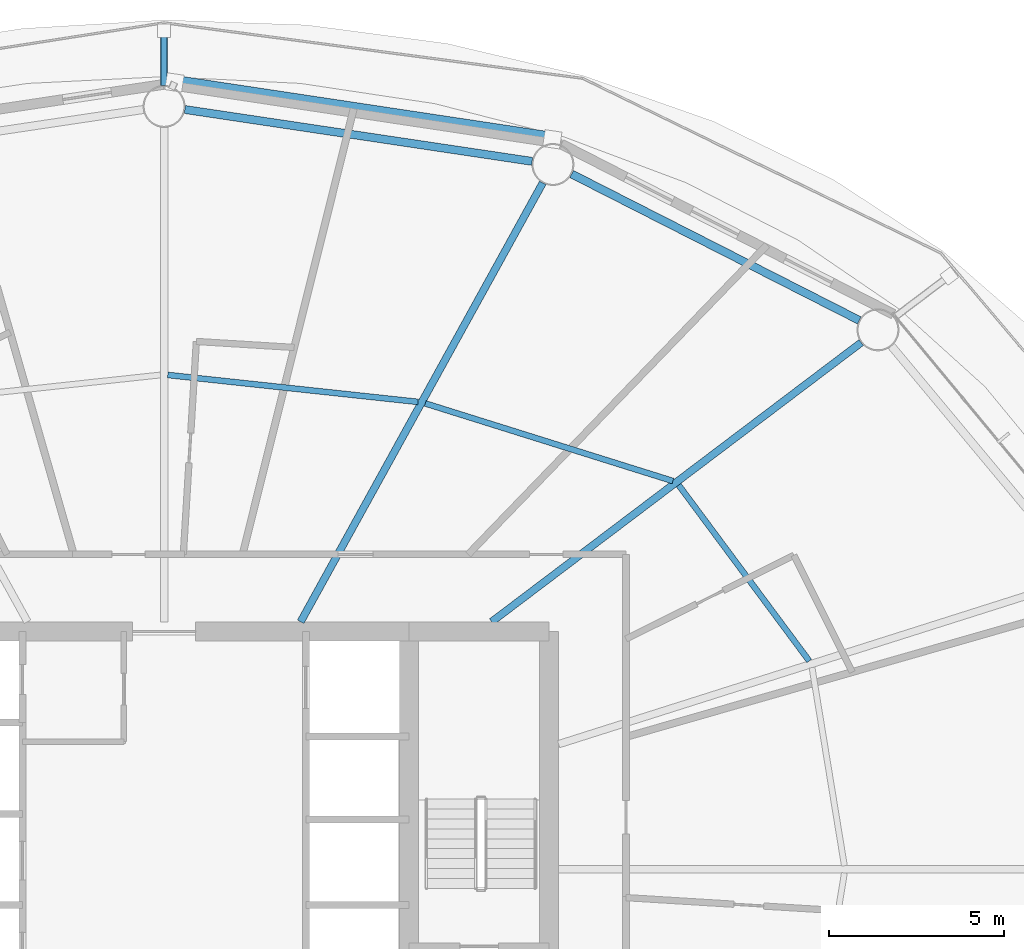
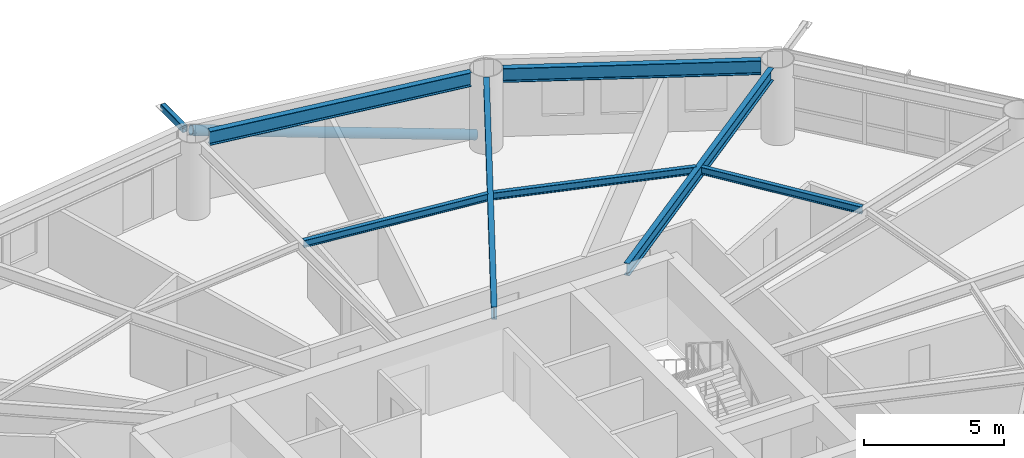
# One storey, part 11 of 24: 7 beams, 2 members.
"""IFC4 building model written with IfcOpenShell, lengths in metres."""

import ifcopenshell
import ifcopenshell.guid

model = None  # the IFC model being written
_history = None  # IfcOwnerHistory: only IFC2X3 demands one
_inside = {}  # id of a spatial element -> (the spatial element, [elements in it])
_under = {}  # id of a project, library or spatial element -> (it, [spatial elements below it])
_declared = {}  # id of a project -> (the project, [libraries it declares])
_typed = {}  # id of a type object -> (the type object, [elements of that type])
_made_of = {}  # id of a material, layer set ... -> (it, [elements and type objects made of it])


def new_model(schema):
    """Start an empty IFC model of exactly this schema.

    Asked for "IFC4X3", IfcOpenShell would pick the latest addendum, in which some entities
    have other attributes; the version numbers below select the first issue.
    IFC2X3 requires an IfcOwnerHistory on every rooted entity: one is made here for all.
    """
    global model, _history
    if schema == "IFC4X3":
        model = ifcopenshell.file(schema_version=(4, 3, 0, 0))
    else:
        model = ifcopenshell.file(schema=schema)
    _inside.clear()
    _under.clear()
    _declared.clear()
    _typed.clear()
    _made_of.clear()
    _history = None
    if model.schema == "IFC2X3":
        org = make("IfcOrganization", Name="unknown")
        user = make(
            "IfcPersonAndOrganization",
            ThePerson=make("IfcPerson", FamilyName="unknown"),
            TheOrganization=org,
        )
        app = make(
            "IfcApplication",
            ApplicationDeveloper=org,
            Version="unknown",
            ApplicationFullName="unknown",
            ApplicationIdentifier="unknown",
        )
        _history = make(
            "IfcOwnerHistory",
            OwningUser=user,
            OwningApplication=app,
            ChangeAction="ADDED",
            CreationDate=0,
        )
    return model


def make(cls, **values):
    """One entity of the class cls with the attributes given. An attribute that is None is left unset."""
    return model.create_entity(
        cls, **{name: value for name, value in values.items() if value is not None}
    )


def rooted(cls, **values):
    """An entity with a GlobalId (a new one), such as an element, a storey or a relation."""
    return make(cls, GlobalId=ifcopenshell.guid.new(), OwnerHistory=_history, **values)


def si_unit(unit_type, name, prefix=None):
    """IfcSIUnit, for example si_unit("LENGTHUNIT", "METRE", prefix="MILLI")."""
    return make("IfcSIUnit", UnitType=unit_type, Prefix=prefix, Name=name)


def assignment(units):
    """IfcUnitAssignment: the units of a project."""
    return None if units is None else make("IfcUnitAssignment", Units=units)


def point(xyz):
    """IfcCartesianPoint."""
    return None if xyz is None else make("IfcCartesianPoint", Coordinates=xyz)


def direction(xyz):
    """IfcDirection."""
    return None if xyz is None else make("IfcDirection", DirectionRatios=xyz)


def frame(location, z_axis=None, x_axis=None):
    """IfcAxis2Placement3D, a coordinate frame: its origin and axes. An axis left out is left unset."""
    return make(
        "IfcAxis2Placement3D",
        Location=point(location),
        Axis=direction(z_axis),
        RefDirection=direction(x_axis),
    )


def frame_2d(location, x_axis=None):
    """IfcAxis2Placement2D, a coordinate frame in the plane: its origin and x axis."""
    return make(
        "IfcAxis2Placement2D", Location=point(location), RefDirection=direction(x_axis)
    )


def origin():
    """The frame at (0, 0, 0) with its axes left unset."""
    return frame((0.0, 0.0, 0.0))


def origin_2d():
    """The frame at (0, 0) in the plane with its x axis left unset."""
    return frame_2d((0.0, 0.0))


def place(relative_to, where):
    """IfcLocalPlacement: puts the frame where relative to a parent placement (None: the world)."""
    return make(
        "IfcLocalPlacement", PlacementRelTo=relative_to, RelativePlacement=where
    )


def context(
    kind, dimensions, precision=None, world=None, true_north=None, identifier=None
):
    """IfcGeometricRepresentationContext, for example the 3D "Model" context."""
    return make(
        "IfcGeometricRepresentationContext",
        ContextIdentifier=identifier,
        ContextType=kind,
        CoordinateSpaceDimension=dimensions,
        Precision=precision,
        WorldCoordinateSystem=world,
        TrueNorth=true_north,
    )


def subcontext(parent, identifier, kind, view, scale=None):
    """IfcGeometricRepresentationSubContext, for example "Body" below "Model"."""
    return make(
        "IfcGeometricRepresentationSubContext",
        ContextIdentifier=identifier,
        ContextType=kind,
        ParentContext=parent,
        TargetScale=scale,
        TargetView=view,
    )


def project(units=None, contexts=None):
    """IfcProject with its units and contexts."""
    return rooted(
        "IfcProject",
        Name="project",
        RepresentationContexts=contexts,
        UnitsInContext=assignment(units),
    )


def spatial(cls, under=None, at=None, **own):
    """A site, building, storey or space (cls), placed at a placement, below another one or the project."""
    s = rooted(cls, ObjectPlacement=at, **own)
    if under is not None:
        _under.setdefault(under.id(), (under, []))[1].append(s)
    return s


def profile(cls, at=None, kind="AREA", **sizes):
    """A parametric profile (cls). Its sizes go by their IFC names, for example OverallWidth=200.0."""
    return make(cls, ProfileType=kind, Position=at, **sizes)


def hollow_rectangle(**sizes):
    """IfcRectangleHollowProfileDef."""
    return profile("IfcRectangleHollowProfileDef", **sizes)


def hollow_circle(**sizes):
    """IfcCircleHollowProfileDef."""
    return profile("IfcCircleHollowProfileDef", **sizes)


def i_section(**sizes):
    """IfcIShapeProfileDef."""
    return profile("IfcIShapeProfileDef", **sizes)


def extrude(swept, where, along, depth):
    """IfcExtrudedAreaSolid: the profile swept, set in the frame where, extruded along a direction by depth."""
    return make(
        "IfcExtrudedAreaSolid",
        SweptArea=swept,
        Position=where,
        ExtrudedDirection=direction(along),
        Depth=depth,
    )


def shape(context_of_items, identifier, shape_type, items):
    """IfcShapeRepresentation: the items that make up one representation, for example the "Body"."""
    return make(
        "IfcShapeRepresentation",
        ContextOfItems=context_of_items,
        RepresentationIdentifier=identifier,
        RepresentationType=shape_type,
        Items=items,
    )


def material(Name=None, Category=None):
    """IfcMaterial."""
    return make("IfcMaterial", Name=Name, Category=Category)


def material_profile(
    of_material, cross_section, Name=None, Category=None, Priority=None
):
    """IfcMaterialProfile: a cross section and its material."""
    return make(
        "IfcMaterialProfile",
        Name=Name,
        Material=of_material,
        Profile=cross_section,
        Priority=Priority,
        Category=Category,
    )


def profile_set(profiles, Name=None, composite=None):
    """IfcMaterialProfileSet."""
    return make(
        "IfcMaterialProfileSet",
        Name=Name,
        MaterialProfiles=profiles,
        CompositeProfile=composite,
    )


def made_of(thing, what):
    """Note that an element or type object is made of a material, layer set ...; save() writes the relation."""
    if what is not None:
        _made_of.setdefault(what.id(), (what, []))[1].append(thing)
    return thing


def type_object(cls, material=None, **own):
    """A type object (cls), such as IfcWallType, which elements share."""
    return made_of(rooted(cls, **own), material)


def element(
    cls,
    number,
    at=None,
    inside=None,
    cuts=None,
    type_object=None,
    material=None,
    context=None,
    identifier="Body",
    shape_type=None,
    held_by="IfcProductDefinitionShape",
    body=None,
    shapes=None,
    **own,
):
    """One element of the class cls, such as IfcWall. Its Tag is "e" and its number.

    at: its placement. inside: the storey or other place that contains it. cuts: it is an
    opening in that element (IfcRelVoidsElement). A single representation is given by context,
    identifier, shape_type and body (its items); several are given by shapes. held_by: the class
    of the entity that holds the representations. save() writes the other relations.
    """
    e = rooted(cls, Tag="e%d" % number, ObjectPlacement=at, **own)
    if body is not None:
        shapes = [shape(context, identifier, shape_type, body)]
    if shapes is not None:
        e.Representation = make(held_by, Representations=shapes)
    if inside is not None:
        _inside.setdefault(inside.id(), (inside, []))[1].append(e)
    if cuts is not None:
        rooted(
            "IfcRelVoidsElement", RelatingBuildingElement=cuts, RelatedOpeningElement=e
        )
    if type_object is not None:
        _typed.setdefault(type_object.id(), (type_object, []))[1].append(e)
    return made_of(e, material)


def aggregate(whole, parts):
    """IfcRelAggregates: a whole, such as a stair, and the parts it consists of."""
    return rooted("IfcRelAggregates", RelatingObject=whole, RelatedObjects=parts)


def save(model, path):
    """Write the relations noted so far, then the file.

    IfcRelAggregates (storeys below a building ...), IfcRelContainedInSpatialStructure (elements
    in a storey), IfcRelDefinesByType, IfcRelAssociatesMaterial and IfcRelDeclares: one each for
    every whole, place, type object, material and project.
    """
    for whole, parts in _under.values():
        aggregate(whole, parts)
    for where, things in _inside.values():
        rooted(
            "IfcRelContainedInSpatialStructure",
            RelatedElements=things,
            RelatingStructure=where,
        )
    for kind, things in _typed.values():
        rooted("IfcRelDefinesByType", RelatedObjects=things, RelatingType=kind)
    for what, things in _made_of.values():
        rooted("IfcRelAssociatesMaterial", RelatedObjects=things, RelatingMaterial=what)
    for by, libraries in _declared.values():
        rooted("IfcRelDeclares", RelatingContext=by, RelatedDefinitions=libraries)
    model.write(path)


model = new_model("IFC4")

# Units and contexts
model_context = context("Model", 3, precision=1e-05, world=origin(), true_north=direction((0.0, 1.0)))
body_context = subcontext(model_context, "Body", "Model", "MODEL_VIEW")
ifc_project = project(units=[si_unit("LENGTHUNIT", "METRE"), si_unit("AREAUNIT", "SQUARE_METRE"), si_unit("VOLUMEUNIT", "CUBIC_METRE"), si_unit("PLANEANGLEUNIT", "RADIAN"), si_unit("MASSUNIT", "GRAM", prefix="KILO")], contexts=[model_context])

# Site, building, storey
site_placement = place(None, origin())
site = spatial("IfcSite", under=ifc_project, at=site_placement, CompositionType="ELEMENT")
building_placement = place(site_placement, origin())
building = spatial("IfcBuilding", under=site, at=building_placement, Name="Sarneth Arch Tower", CompositionType="ELEMENT")
storey_placement = place(building_placement, frame((0.0, 0.0, 98.39990234375)))
storey = spatial("IfcBuildingStorey", under=building, at=storey_placement, Name="L24", CompositionType="ELEMENT", Elevation=98.39990234375)

# Beams
ifc_material_1 = material(Name="Steel S355", Category="steel")
ifc_material_profile_1 = material_profile(ifc_material_1, i_section(OverallWidth=0.1669921875, OverallDepth=0.31689453125, WebThickness=0.007568359375, FlangeThickness=0.01318359375, FilletRadius=0.012939453125, at=origin_2d()), Name="W310x52")
ifc_profile_set_1 = profile_set([ifc_material_profile_1], Name="Steel S355")
beam_type_1 = type_object("IfcBeamType", Name="BM-JOIST-310B", PredefinedType="JOIST", material=ifc_profile_set_1)
beam_1_placement = place(storey_placement, frame((66.434326171875, 47.9541015625, 3.2216796875), z_axis=(-0.596098474255, 0.802911333206, 0.0), x_axis=(-0.802911333206, -0.596098474255, 0.0)))
element("IfcBeam", 1, at=beam_1_placement, inside=storey, type_object=beam_type_1, Name="L24 Secondary floor joist 02", PredefinedType="JOIST", context=body_context, shape_type="SweptSolid", body=[
    extrude(i_section(OverallWidth=0.1669921875, OverallDepth=0.31689453125, WebThickness=0.007568359375, FlangeThickness=0.01318359375, FilletRadius=0.012939453125, at=origin_2d()), origin(), (0.0, 0.0, 1.0), 6.259033203125),
])
beam_2_placement = place(storey_placement, frame((62.539794921875, 53.095703125, 3.2216796875), z_axis=(-0.954245982384, 0.299022750146, 0.0), x_axis=(-0.299022750146, -0.954245982384, 0.0)))
element("IfcBeam", 2, at=beam_2_placement, inside=storey, type_object=beam_type_1, Name="L24 Secondary floor joist 03", PredefinedType="JOIST", context=body_context, shape_type="SweptSolid", body=[
    extrude(i_section(OverallWidth=0.1669921875, OverallDepth=0.31689453125, WebThickness=0.007568359375, FlangeThickness=0.01318359375, FilletRadius=0.012939453125, at=origin_2d()), origin(), (0.0, 0.0, 1.0), 7.416748046875),
])
beam_3_placement = place(storey_placement, frame((55.2568359375, 55.3564453125, 3.2216796875), z_axis=(-0.994257420028, 0.107014871487, 0.0), x_axis=(-0.107014871487, -0.994257420028, 0.0)))
element("IfcBeam", 3, at=beam_3_placement, inside=storey, type_object=beam_type_1, Name="L24 Secondary floor joist 04", PredefinedType="JOIST", context=body_context, shape_type="SweptSolid", body=[
    extrude(i_section(OverallWidth=0.1669921875, OverallDepth=0.31689453125, WebThickness=0.007568359375, FlangeThickness=0.01318359375, FilletRadius=0.012939453125, at=origin_2d()), origin(), (0.0, 0.0, 1.0), 7.193115234375),
])
ifc_material_2 = material(Name="Steel S355", Category="steel")
ifc_material_profile_2 = material_profile(ifc_material_2, i_section(OverallWidth=0.2109375, OverallDepth=0.5390625, WebThickness=0.01171875, FlangeThickness=0.018798828125, FilletRadius=0.01806640625, at=origin_2d()), Name="W530x109")
ifc_profile_set_2 = profile_set([ifc_material_profile_2], Name="Steel S355")
beam_type_2 = type_object("IfcBeamType", Name="BM-RAD-530B", PredefinedType="BEAM", material=ifc_profile_set_2)
beam_4_placement = place(storey_placement, frame((57.36181640625, 49.074951171875, 3.110595703125), z_axis=(0.797802835234, 0.602918432371, 0.0), x_axis=(-0.602918432371, 0.797802835234, 0.0)))
element("IfcBeam", 4, at=beam_4_placement, inside=storey, type_object=beam_type_2, Name="L24 Radial floor girder 03", PredefinedType="BEAM", context=body_context, shape_type="SweptSolid", body=[
    extrude(i_section(OverallWidth=0.2109375, OverallDepth=0.5390625, WebThickness=0.01171875, FlangeThickness=0.018798828125, FilletRadius=0.01806640625, at=origin_2d()), origin(), (0.0, 0.0, 1.0), 13.232666015625),
])
beam_5_placement = place(storey_placement, frame((51.90283203125, 49.074951171875, 3.110595703125), z_axis=(0.483021011336, 0.875608761153, 0.0), x_axis=(-0.875608761153, 0.483021011336, 0.0)))
element("IfcBeam", 5, at=beam_5_placement, inside=storey, type_object=beam_type_2, Name="L24 Radial floor girder 04", PredefinedType="BEAM", context=body_context, shape_type="SweptSolid", body=[
    extrude(i_section(OverallWidth=0.2109375, OverallDepth=0.5390625, WebThickness=0.01171875, FlangeThickness=0.018798828125, FilletRadius=0.01806640625, at=origin_2d()), origin(), (0.0, 0.0, 1.0), 14.32177734375),
])
ifc_material_3 = material(Name="Steel S355", Category="steel")
ifc_material_profile_3 = material_profile(ifc_material_3, i_section(OverallWidth=0.22900390625, OverallDepth=0.612060546875, WebThickness=0.011962890625, FlangeThickness=0.01953125, FilletRadius=0.01904296875, at=origin_2d()), Name="W610x125")
ifc_profile_set_3 = profile_set([ifc_material_profile_3], Name="Steel S355")
beam_type_3 = type_object("IfcBeamType", Name="BM-SPAN-610C", PredefinedType="SPANDREL", material=ifc_profile_set_3)
beam_6_placement = place(storey_placement, frame((67.86279296875, 57.68701171875, 3.07421875), z_axis=(-0.891259443414, 0.453493775619, 0.0), x_axis=(-0.453493775619, -0.891259443414, 0.0)))
element("IfcBeam", 6, at=beam_6_placement, inside=storey, type_object=beam_type_3, Name="L24 Perimeter spandrel beam 03", PredefinedType="SPANDREL", context=body_context, shape_type="SweptSolid", body=[
    extrude(i_section(OverallWidth=0.22900390625, OverallDepth=0.612060546875, WebThickness=0.011962890625, FlangeThickness=0.01953125, FilletRadius=0.01904296875, at=origin_2d()), origin(), (0.0, 0.0, 1.0), 9.220458984375),
])
beam_7_placement = place(storey_placement, frame((58.516845703125, 62.229248046875, 3.07421875), z_axis=(-0.989028613319, 0.147724073992, 0.0), x_axis=(-0.147724073992, -0.989028613319, 0.0)))
element("IfcBeam", 7, at=beam_7_placement, inside=storey, type_object=beam_type_3, Name="L24 Perimeter spandrel beam 04", PredefinedType="SPANDREL", context=body_context, shape_type="SweptSolid", body=[
    extrude(i_section(OverallWidth=0.22900390625, OverallDepth=0.612060546875, WebThickness=0.011962890625, FlangeThickness=0.01953125, FilletRadius=0.01904296875, at=origin_2d()), origin(), (0.0, 0.0, 1.0), 10.033447265625),
])

# Members
ifc_material_4 = material(Name="Steel S355", Category="steel")
ifc_material_profile_4 = material_profile(ifc_material_4, hollow_rectangle(XDim=0.199951171875, YDim=0.300048828125, WallThickness=0.012451171875, InnerFilletRadius=0.018798828125, OuterFilletRadius=0.03125, at=origin_2d()), Name="RHS300x200x12.5")
ifc_profile_set_4 = profile_set([ifc_material_profile_4], Name="Steel S355")
member_type_1 = type_object("IfcMemberType", Name="MEM-CANT-STRUT", PredefinedType="STRUT", material=ifc_profile_set_4)
member_1_placement = place(storey_placement, frame((48.0, 64.39990234375, 3.22021484375), z_axis=(0.0, 1.0, 0.0), x_axis=(-1.0, 0.0, 0.0)))
element("IfcMember", 8, at=member_1_placement, inside=storey, type_object=member_type_1, Name="L24 Balcony cantilever bracket 05", PredefinedType="STRUT", context=body_context, shape_type="SweptSolid", body=[
    extrude(hollow_rectangle(XDim=0.199951171875, YDim=0.300048828125, WallThickness=0.012451171875, InnerFilletRadius=0.018798828125, OuterFilletRadius=0.03125, at=origin_2d()), origin(), (0.0, 0.0, 1.0), 1.564453125),
])
ifc_material_5 = material(Name="Steel S355", Category="steel")
ifc_material_profile_5 = material_profile(ifc_material_5, hollow_circle(Radius=0.202880859375, WallThickness=0.01611328125, at=origin_2d()), Name="CHS406x16")
ifc_profile_set_5 = profile_set([ifc_material_profile_5], Name="Steel S355")
member_type_2 = type_object("IfcMemberType", Name="MEM-DIAG-BR2", PredefinedType="BRACE", material=ifc_profile_set_5)
member_2_placement = place(storey_placement, frame((59.0927734375, 62.859619140625, 0.02001953125), z_axis=(-0.953667510586, 0.143607606182, 0.26437688004), x_axis=(-0.148905755657, -0.988851392239, 0.0)))
element("IfcMember", 9, at=member_2_placement, inside=storey, type_object=member_type_2, Name="L24 Perimeter frame diagonal 04", PredefinedType="BRACE", context=body_context, shape_type="SweptSolid", body=[
    extrude(hollow_circle(Radius=0.202880859375, WallThickness=0.01611328125, at=origin_2d()), origin(), (0.0, 0.0, 1.0), 11.320556640625),
])

save(model, "model.ifc")
